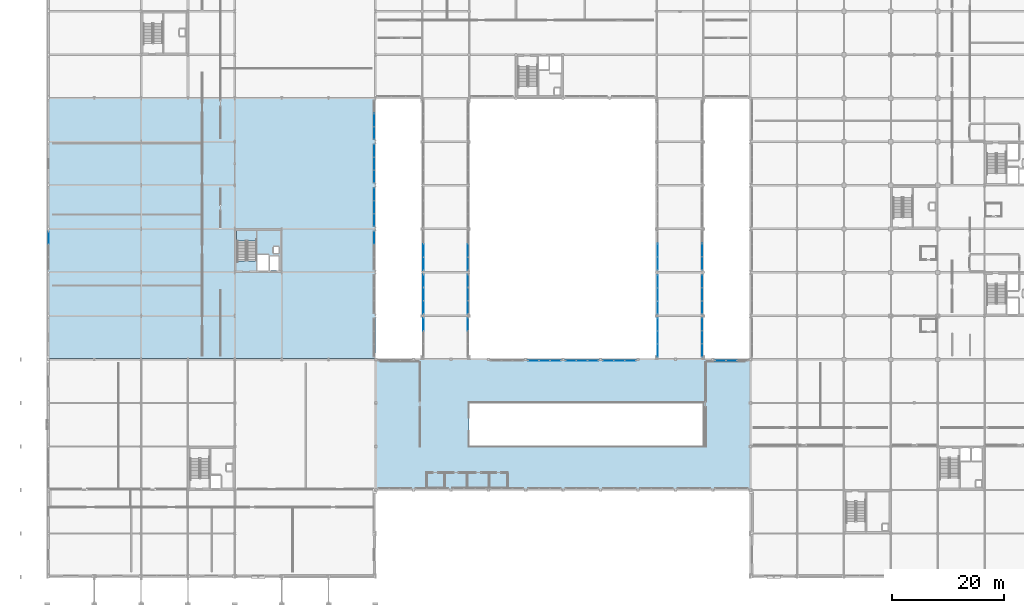
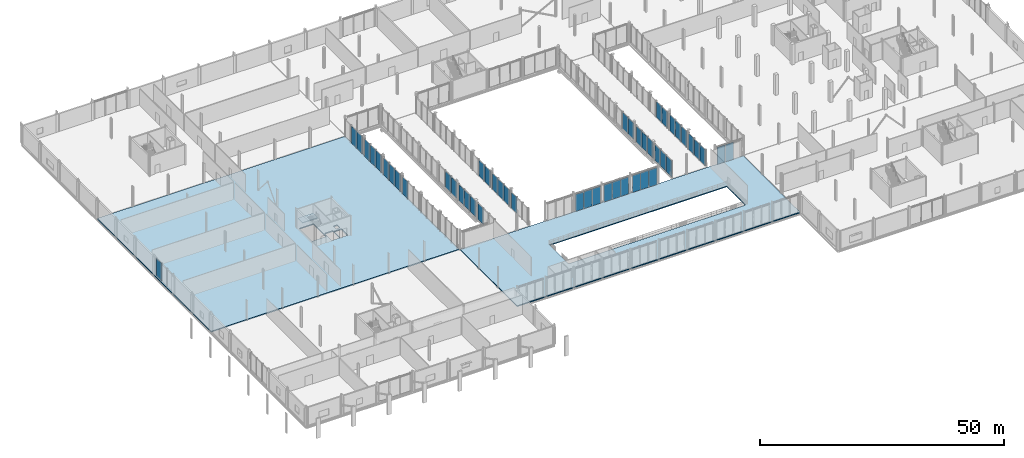
# One storey, part 69 of 105: 49 plates, 3 slabs, 22 elements without a shape of their own.
"""IFC4 building model written with IfcOpenShell, lengths in metres."""

from ifc_helpers import new_model, si_unit, direction, frame, origin, origin_2d, place, context, subcontext, project, spatial, polyline, rectangle, outline, extrude, material, layer, layer_set, type_object, element, aggregate, save


model = new_model("IFC4")

# Units and contexts
model_context = context("Model", 3, precision=1e-05, world=origin(), true_north=direction((0.0, 1.0)))
body_context = subcontext(model_context, "Body", "Model", "MODEL_VIEW")
ifc_project = project(units=[si_unit("LENGTHUNIT", "METRE"), si_unit("AREAUNIT", "SQUARE_METRE"), si_unit("VOLUMEUNIT", "CUBIC_METRE"), si_unit("PLANEANGLEUNIT", "RADIAN"), si_unit("MASSUNIT", "GRAM", prefix="KILO")], contexts=[model_context])

# Site, building, storey
site_placement = place(None, origin())
site = spatial("IfcSite", under=ifc_project, at=site_placement, CompositionType="ELEMENT")
building_placement = place(site_placement, origin())
building = spatial("IfcBuilding", under=site, at=building_placement, Name="Nabrawat Pavilion Hospital", CompositionType="ELEMENT")
storey_placement = place(building_placement, frame((0.0, 0.0, 5.10009765625)))
storey = spatial("IfcBuildingStorey", under=building, at=storey_placement, Name="L01", CompositionType="ELEMENT", Elevation=5.10009765625)

# Slab
ifc_material_1 = material(Name="Concrete C35/45", Category="concrete")
ifc_layer_1 = layer(ifc_material_1, 0.239990234375, Name="Concrete C35/45")
ifc_layer_set_1 = layer_set([ifc_layer_1], Name="Concrete C35/45")
slab_type_1 = type_object("IfcSlabType", Name="Composite Gallery Floor Slab 240", PredefinedType="FLOOR", material=ifc_layer_set_1)
slab_1_placement = place(storey_placement, frame((0.0, 0.0, -0.239990234375)))
element("IfcSlab", 1, at=slab_1_placement, inside=storey, type_object=slab_type_1, Name="L01 Structural Floor Slab P_L01_V1", PredefinedType="FLOOR", context=body_context, shape_type="SweptSolid", body=[
    extrude(outline(polyline([(58.919921875, 15.60009765625), (126.0, 15.60009765625), (126.0, 39.0), (58.919921875, 39.0), (58.919921875, 15.60009765625)]), holes=[polyline([(75.60009765625, 23.39990234375), (75.60009765625, 31.199951171875), (117.60009765625, 31.199951171875), (117.60009765625, 23.39990234375), (75.60009765625, 23.39990234375)])]), origin(), (0.0, 0.0, 1.0), 0.239990234375),
])

# Curtain wall, plate
ifc_material_2 = material(Name="Anodised Aluminium", Category="aluminium")
curtain_wall_type_1 = type_object("IfcCurtainWallType", Name="Courtyard Link Bridge Glazed Curtain Wall", PredefinedType="USERDEFINED", material=ifc_material_2)
curtain_wall_1_placement = place(storey_placement, origin())
curtain_wall_1 = element("IfcCurtainWall", 2, at=curtain_wall_1_placement, inside=storey, type_object=curtain_wall_type_1, Name="L01 Courtyard Link Bridge Glazed Curtain Wall 052", ObjectType="CURTAIN WALL", PredefinedType="USERDEFINED")
ifc_material_3 = material(Name="Double-Glazed Low-E Glass", Category="glass")
ifc_layer_2 = layer(ifc_material_3, 0.031982421875, Name="Double-Glazed Low-E Glass")
ifc_layer_set_2 = layer_set([ifc_layer_2], Name="Double-Glazed Low-E Glass")
plate_type_1 = type_object("IfcPlateType", Name="Courtyard Link Bridge Glazed Curtain Wall Low-E Solar Panel 32", PredefinedType="CURTAIN_PANEL", material=ifc_layer_set_2)
plate_1_placement = place(storey_placement, frame((67.419921875, 45.291015625, 0.06982421875), z_axis=(0.0, 0.0, 1.0), x_axis=(0.0, 1.0, 0.0)))
plate_1 = element("IfcPlate", 3, at=plate_1_placement, type_object=plate_type_1, Name="CW-BRG-01 panel 3.1", PredefinedType="CURTAIN_PANEL", context=body_context, shape_type="SweptSolid", body=[
    extrude(rectangle(XDim=2.242431640625, YDim=0.031982421875, at=origin_2d()), origin(), (0.0, 0.0, 1.0), 4.0),
])
aggregate(curtain_wall_1, [plate_1])

# Curtain wall, plates
curtain_wall_2_placement = place(storey_placement, origin())
curtain_wall_2 = element("IfcCurtainWall", 4, at=curtain_wall_2_placement, inside=storey, type_object=curtain_wall_type_1, Name="L01 Courtyard Link Bridge Glazed Curtain Wall 053", ObjectType="CURTAIN WALL", PredefinedType="USERDEFINED")
plate_2_placement = place(storey_placement, frame((67.419921875, 48.32568359375, 0.06982421875), z_axis=(0.0, 0.0, 1.0), x_axis=(0.0, 1.0, 0.0)))
plate_2 = element("IfcPlate", 5, at=plate_2_placement, type_object=plate_type_1, Name="CW-BRG-01 panel 1.1", PredefinedType="CURTAIN_PANEL", context=body_context, shape_type="SweptSolid", body=[
    extrude(rectangle(XDim=2.275634765625, YDim=0.031982421875, at=origin_2d()), origin(), (0.0, 0.0, 1.0), 4.0),
])
plate_3_placement = place(storey_placement, frame((67.419921875, 50.68896484375, 0.06982421875), z_axis=(0.0, 0.0, 1.0), x_axis=(0.0, 1.0, 0.0)))
plate_3 = element("IfcPlate", 6, at=plate_3_placement, type_object=plate_type_1, Name="CW-BRG-01 panel 2.1", PredefinedType="CURTAIN_PANEL", context=body_context, shape_type="SweptSolid", body=[
    extrude(rectangle(XDim=2.310791015625, YDim=0.031982421875, at=origin_2d()), origin(), (0.0, 0.0, 1.0), 4.0),
])
plate_4_placement = place(storey_placement, frame((67.419921875, 53.05224609375, 0.06982421875), z_axis=(0.0, 0.0, 1.0), x_axis=(0.0, 1.0, 0.0)))
plate_4 = element("IfcPlate", 7, at=plate_4_placement, type_object=plate_type_1, Name="CW-BRG-01 panel 3.1", PredefinedType="CURTAIN_PANEL", context=body_context, shape_type="SweptSolid", body=[
    extrude(rectangle(XDim=2.275634765625, YDim=0.031982421875, at=origin_2d()), origin(), (0.0, 0.0, 1.0), 4.0),
])
aggregate(curtain_wall_2, [plate_2, plate_3, plate_4])

curtain_wall_3_placement = place(storey_placement, origin())
curtain_wall_3 = element("IfcCurtainWall", 8, at=curtain_wall_3_placement, inside=storey, type_object=curtain_wall_type_1, Name="L01 Courtyard Link Bridge Glazed Curtain Wall 054", ObjectType="CURTAIN WALL", PredefinedType="USERDEFINED")
plate_5_placement = place(storey_placement, frame((67.419921875, 56.14794921875, 0.06982421875), z_axis=(0.0, 0.0, 1.0), x_axis=(0.0, 1.0, 0.0)))
plate_5 = element("IfcPlate", 9, at=plate_5_placement, type_object=plate_type_1, Name="CW-BRG-01 panel 1.1", PredefinedType="CURTAIN_PANEL", context=body_context, shape_type="SweptSolid", body=[
    extrude(rectangle(XDim=2.275634765625, YDim=0.031982421875, at=origin_2d()), origin(), (0.0, 0.0, 1.0), 4.0),
])
plate_6_placement = place(storey_placement, frame((67.419921875, 58.510986328125, 0.06982421875), z_axis=(0.0, 0.0, 1.0), x_axis=(0.0, 1.0, 0.0)))
plate_6 = element("IfcPlate", 10, at=plate_6_placement, type_object=plate_type_1, Name="CW-BRG-01 panel 2.1", PredefinedType="CURTAIN_PANEL", context=body_context, shape_type="SweptSolid", body=[
    extrude(rectangle(XDim=2.310791015625, YDim=0.031982421875, at=origin_2d()), origin(), (0.0, 0.0, 1.0), 4.0),
])
aggregate(curtain_wall_3, [plate_5, plate_6])

# Curtain wall, plate
curtain_wall_4_placement = place(storey_placement, origin())
curtain_wall_4 = element("IfcCurtainWall", 11, at=curtain_wall_4_placement, inside=storey, type_object=curtain_wall_type_1, Name="L01 Courtyard Link Bridge Glazed Curtain Wall 058", ObjectType="CURTAIN WALL", PredefinedType="USERDEFINED")
plate_7_placement = place(storey_placement, frame((75.3798828125, 45.291015625, 0.06982421875), z_axis=(0.0, 0.0, 1.0), x_axis=(0.0, 1.0, 0.0)))
plate_7 = element("IfcPlate", 12, at=plate_7_placement, type_object=plate_type_1, Name="CW-BRG-01 panel 3.1", PredefinedType="CURTAIN_PANEL", context=body_context, shape_type="SweptSolid", body=[
    extrude(rectangle(XDim=2.242431640625, YDim=0.031982421875, at=origin_2d()), origin(), (0.0, 0.0, 1.0), 4.0),
])
aggregate(curtain_wall_4, [plate_7])

# Curtain wall, plates
curtain_wall_5_placement = place(storey_placement, origin())
curtain_wall_5 = element("IfcCurtainWall", 13, at=curtain_wall_5_placement, inside=storey, type_object=curtain_wall_type_1, Name="L01 Courtyard Link Bridge Glazed Curtain Wall 059", ObjectType="CURTAIN WALL", PredefinedType="USERDEFINED")
plate_8_placement = place(storey_placement, frame((75.3798828125, 48.32568359375, 0.06982421875), z_axis=(0.0, 0.0, 1.0), x_axis=(0.0, 1.0, 0.0)))
plate_8 = element("IfcPlate", 14, at=plate_8_placement, type_object=plate_type_1, Name="CW-BRG-01 panel 1.1", PredefinedType="CURTAIN_PANEL", context=body_context, shape_type="SweptSolid", body=[
    extrude(rectangle(XDim=2.275634765625, YDim=0.031982421875, at=origin_2d()), origin(), (0.0, 0.0, 1.0), 4.0),
])
plate_9_placement = place(storey_placement, frame((75.3798828125, 50.68896484375, 0.06982421875), z_axis=(0.0, 0.0, 1.0), x_axis=(0.0, 1.0, 0.0)))
plate_9 = element("IfcPlate", 15, at=plate_9_placement, type_object=plate_type_1, Name="CW-BRG-01 panel 2.1", PredefinedType="CURTAIN_PANEL", context=body_context, shape_type="SweptSolid", body=[
    extrude(rectangle(XDim=2.310791015625, YDim=0.031982421875, at=origin_2d()), origin(), (0.0, 0.0, 1.0), 4.0),
])
plate_10_placement = place(storey_placement, frame((75.3798828125, 53.05224609375, 0.06982421875), z_axis=(0.0, 0.0, 1.0), x_axis=(0.0, 1.0, 0.0)))
plate_10 = element("IfcPlate", 16, at=plate_10_placement, type_object=plate_type_1, Name="CW-BRG-01 panel 3.1", PredefinedType="CURTAIN_PANEL", context=body_context, shape_type="SweptSolid", body=[
    extrude(rectangle(XDim=2.275634765625, YDim=0.031982421875, at=origin_2d()), origin(), (0.0, 0.0, 1.0), 4.0),
])
aggregate(curtain_wall_5, [plate_8, plate_9, plate_10])

curtain_wall_6_placement = place(storey_placement, origin())
curtain_wall_6 = element("IfcCurtainWall", 17, at=curtain_wall_6_placement, inside=storey, type_object=curtain_wall_type_1, Name="L01 Courtyard Link Bridge Glazed Curtain Wall 060", ObjectType="CURTAIN WALL", PredefinedType="USERDEFINED")
plate_11_placement = place(storey_placement, frame((75.3798828125, 56.14794921875, 0.06982421875), z_axis=(0.0, 0.0, 1.0), x_axis=(0.0, 1.0, 0.0)))
plate_11 = element("IfcPlate", 18, at=plate_11_placement, type_object=plate_type_1, Name="CW-BRG-01 panel 1.1", PredefinedType="CURTAIN_PANEL", context=body_context, shape_type="SweptSolid", body=[
    extrude(rectangle(XDim=2.275634765625, YDim=0.031982421875, at=origin_2d()), origin(), (0.0, 0.0, 1.0), 4.0),
])
plate_12_placement = place(storey_placement, frame((75.3798828125, 58.510986328125, 0.06982421875), z_axis=(0.0, 0.0, 1.0), x_axis=(0.0, 1.0, 0.0)))
plate_12 = element("IfcPlate", 19, at=plate_12_placement, type_object=plate_type_1, Name="CW-BRG-01 panel 2.1", PredefinedType="CURTAIN_PANEL", context=body_context, shape_type="SweptSolid", body=[
    extrude(rectangle(XDim=2.310791015625, YDim=0.031982421875, at=origin_2d()), origin(), (0.0, 0.0, 1.0), 4.0),
])
aggregate(curtain_wall_6, [plate_11, plate_12])

curtain_wall_7_placement = place(storey_placement, origin())
curtain_wall_7 = element("IfcCurtainWall", 20, at=curtain_wall_7_placement, inside=storey, type_object=curtain_wall_type_1, Name="L01 Courtyard Link Bridge Glazed Curtain Wall 071", ObjectType="CURTAIN WALL", PredefinedType="USERDEFINED")
plate_13_placement = place(storey_placement, frame((109.419921875, 40.631103515625, 0.06982421875), z_axis=(0.0, 0.0, 1.0), x_axis=(0.0, 1.0, 0.0)))
plate_13 = element("IfcPlate", 21, at=plate_13_placement, type_object=plate_type_1, Name="CW-BRG-01 panel 1.1", PredefinedType="CURTAIN_PANEL", context=body_context, shape_type="SweptSolid", body=[
    extrude(rectangle(XDim=2.242431640625, YDim=0.031982421875, at=origin_2d()), origin(), (0.0, 0.0, 1.0), 4.0),
])
plate_14_placement = place(storey_placement, frame((109.419921875, 42.961181640625, 0.06982421875), z_axis=(0.0, 0.0, 1.0), x_axis=(0.0, 1.0, 0.0)))
plate_14 = element("IfcPlate", 22, at=plate_14_placement, type_object=plate_type_1, Name="CW-BRG-01 panel 2.1", PredefinedType="CURTAIN_PANEL", context=body_context, shape_type="SweptSolid", body=[
    extrude(rectangle(XDim=2.27734375, YDim=0.031982421875, at=origin_2d()), origin(), (0.0, 0.0, 1.0), 4.0),
])
plate_15_placement = place(storey_placement, frame((109.419921875, 45.291015625, 0.06982421875), z_axis=(0.0, 0.0, 1.0), x_axis=(0.0, 1.0, 0.0)))
plate_15 = element("IfcPlate", 23, at=plate_15_placement, type_object=plate_type_1, Name="CW-BRG-01 panel 3.1", PredefinedType="CURTAIN_PANEL", context=body_context, shape_type="SweptSolid", body=[
    extrude(rectangle(XDim=2.242431640625, YDim=0.031982421875, at=origin_2d()), origin(), (0.0, 0.0, 1.0), 4.0),
])
aggregate(curtain_wall_7, [plate_13, plate_14, plate_15])

curtain_wall_8_placement = place(storey_placement, origin())
curtain_wall_8 = element("IfcCurtainWall", 24, at=curtain_wall_8_placement, inside=storey, type_object=curtain_wall_type_1, Name="L01 Courtyard Link Bridge Glazed Curtain Wall 072", ObjectType="CURTAIN WALL", PredefinedType="USERDEFINED")
plate_16_placement = place(storey_placement, frame((109.419921875, 48.313232421875, 0.06982421875), z_axis=(0.0, 0.0, 1.0), x_axis=(0.0, 1.0, 0.0)))
plate_16 = element("IfcPlate", 25, at=plate_16_placement, type_object=plate_type_1, Name="CW-BRG-01 panel 1.1", PredefinedType="CURTAIN_PANEL", context=body_context, shape_type="SweptSolid", body=[
    extrude(rectangle(XDim=2.250732421875, YDim=0.031982421875, at=origin_2d()), origin(), (0.0, 0.0, 1.0), 4.0),
])
plate_17_placement = place(storey_placement, frame((109.419921875, 50.6513671875, 0.06982421875), z_axis=(0.0, 0.0, 1.0), x_axis=(0.0, 1.0, 0.0)))
plate_17 = element("IfcPlate", 26, at=plate_17_placement, type_object=plate_type_1, Name="CW-BRG-01 panel 2.1", PredefinedType="CURTAIN_PANEL", context=body_context, shape_type="SweptSolid", body=[
    extrude(rectangle(XDim=2.28564453125, YDim=0.031982421875, at=origin_2d()), origin(), (0.0, 0.0, 1.0), 4.0),
])
plate_18_placement = place(storey_placement, frame((109.419921875, 52.98974609375, 0.06982421875), z_axis=(0.0, 0.0, 1.0), x_axis=(0.0, 1.0, 0.0)))
plate_18 = element("IfcPlate", 27, at=plate_18_placement, type_object=plate_type_1, Name="CW-BRG-01 panel 3.1", PredefinedType="CURTAIN_PANEL", context=body_context, shape_type="SweptSolid", body=[
    extrude(rectangle(XDim=2.250732421875, YDim=0.031982421875, at=origin_2d()), origin(), (0.0, 0.0, 1.0), 4.0),
])
aggregate(curtain_wall_8, [plate_16, plate_17, plate_18])

curtain_wall_9_placement = place(storey_placement, origin())
curtain_wall_9 = element("IfcCurtainWall", 28, at=curtain_wall_9_placement, inside=storey, type_object=curtain_wall_type_1, Name="L01 Courtyard Link Bridge Glazed Curtain Wall 073", ObjectType="CURTAIN WALL", PredefinedType="USERDEFINED")
plate_19_placement = place(storey_placement, frame((109.419921875, 56.21044921875, 0.06982421875), z_axis=(0.0, 0.0, 1.0), x_axis=(0.0, 1.0, 0.0)))
plate_19 = element("IfcPlate", 29, at=plate_19_placement, type_object=plate_type_1, Name="CW-BRG-01 panel 1.1", PredefinedType="CURTAIN_PANEL", context=body_context, shape_type="SweptSolid", body=[
    extrude(rectangle(XDim=2.250732421875, YDim=0.031982421875, at=origin_2d()), origin(), (0.0, 0.0, 1.0), 4.0),
])
plate_20_placement = place(storey_placement, frame((109.419921875, 58.548583984375, 0.06982421875), z_axis=(0.0, 0.0, 1.0), x_axis=(0.0, 1.0, 0.0)))
plate_20 = element("IfcPlate", 30, at=plate_20_placement, type_object=plate_type_1, Name="CW-BRG-01 panel 2.1", PredefinedType="CURTAIN_PANEL", context=body_context, shape_type="SweptSolid", body=[
    extrude(rectangle(XDim=2.28564453125, YDim=0.031982421875, at=origin_2d()), origin(), (0.0, 0.0, 1.0), 4.0),
])
aggregate(curtain_wall_9, [plate_19, plate_20])

curtain_wall_10_placement = place(storey_placement, origin())
curtain_wall_10 = element("IfcCurtainWall", 31, at=curtain_wall_10_placement, inside=storey, type_object=curtain_wall_type_1, Name="L01 Courtyard Link Bridge Glazed Curtain Wall 077", ObjectType="CURTAIN WALL", PredefinedType="USERDEFINED")
plate_21_placement = place(storey_placement, frame((117.3798828125, 40.631103515625, 0.06982421875), z_axis=(0.0, 0.0, 1.0), x_axis=(0.0, 1.0, 0.0)))
plate_21 = element("IfcPlate", 32, at=plate_21_placement, type_object=plate_type_1, Name="CW-BRG-01 panel 1.1", PredefinedType="CURTAIN_PANEL", context=body_context, shape_type="SweptSolid", body=[
    extrude(rectangle(XDim=2.242431640625, YDim=0.031982421875, at=origin_2d()), origin(), (0.0, 0.0, 1.0), 4.0),
])
plate_22_placement = place(storey_placement, frame((117.3798828125, 42.961181640625, 0.06982421875), z_axis=(0.0, 0.0, 1.0), x_axis=(0.0, 1.0, 0.0)))
plate_22 = element("IfcPlate", 33, at=plate_22_placement, type_object=plate_type_1, Name="CW-BRG-01 panel 2.1", PredefinedType="CURTAIN_PANEL", context=body_context, shape_type="SweptSolid", body=[
    extrude(rectangle(XDim=2.27734375, YDim=0.031982421875, at=origin_2d()), origin(), (0.0, 0.0, 1.0), 4.0),
])
plate_23_placement = place(storey_placement, frame((117.3798828125, 45.291015625, 0.06982421875), z_axis=(0.0, 0.0, 1.0), x_axis=(0.0, 1.0, 0.0)))
plate_23 = element("IfcPlate", 34, at=plate_23_placement, type_object=plate_type_1, Name="CW-BRG-01 panel 3.1", PredefinedType="CURTAIN_PANEL", context=body_context, shape_type="SweptSolid", body=[
    extrude(rectangle(XDim=2.242431640625, YDim=0.031982421875, at=origin_2d()), origin(), (0.0, 0.0, 1.0), 4.0),
])
aggregate(curtain_wall_10, [plate_21, plate_22, plate_23])

curtain_wall_11_placement = place(storey_placement, origin())
curtain_wall_11 = element("IfcCurtainWall", 35, at=curtain_wall_11_placement, inside=storey, type_object=curtain_wall_type_1, Name="L01 Courtyard Link Bridge Glazed Curtain Wall 078", ObjectType="CURTAIN WALL", PredefinedType="USERDEFINED")
plate_24_placement = place(storey_placement, frame((117.3798828125, 48.313232421875, 0.06982421875), z_axis=(0.0, 0.0, 1.0), x_axis=(0.0, 1.0, 0.0)))
plate_24 = element("IfcPlate", 36, at=plate_24_placement, type_object=plate_type_1, Name="CW-BRG-01 panel 1.1", PredefinedType="CURTAIN_PANEL", context=body_context, shape_type="SweptSolid", body=[
    extrude(rectangle(XDim=2.250732421875, YDim=0.031982421875, at=origin_2d()), origin(), (0.0, 0.0, 1.0), 4.0),
])
plate_25_placement = place(storey_placement, frame((117.3798828125, 50.6513671875, 0.06982421875), z_axis=(0.0, 0.0, 1.0), x_axis=(0.0, 1.0, 0.0)))
plate_25 = element("IfcPlate", 37, at=plate_25_placement, type_object=plate_type_1, Name="CW-BRG-01 panel 2.1", PredefinedType="CURTAIN_PANEL", context=body_context, shape_type="SweptSolid", body=[
    extrude(rectangle(XDim=2.28564453125, YDim=0.031982421875, at=origin_2d()), origin(), (0.0, 0.0, 1.0), 4.0),
])
plate_26_placement = place(storey_placement, frame((117.3798828125, 52.98974609375, 0.06982421875), z_axis=(0.0, 0.0, 1.0), x_axis=(0.0, 1.0, 0.0)))
plate_26 = element("IfcPlate", 38, at=plate_26_placement, type_object=plate_type_1, Name="CW-BRG-01 panel 3.1", PredefinedType="CURTAIN_PANEL", context=body_context, shape_type="SweptSolid", body=[
    extrude(rectangle(XDim=2.250732421875, YDim=0.031982421875, at=origin_2d()), origin(), (0.0, 0.0, 1.0), 4.0),
])
aggregate(curtain_wall_11, [plate_24, plate_25, plate_26])

curtain_wall_12_placement = place(storey_placement, origin())
curtain_wall_12 = element("IfcCurtainWall", 39, at=curtain_wall_12_placement, inside=storey, type_object=curtain_wall_type_1, Name="L01 Courtyard Link Bridge Glazed Curtain Wall 079", ObjectType="CURTAIN WALL", PredefinedType="USERDEFINED")
plate_27_placement = place(storey_placement, frame((117.3798828125, 56.21044921875, 0.06982421875), z_axis=(0.0, 0.0, 1.0), x_axis=(0.0, 1.0, 0.0)))
plate_27 = element("IfcPlate", 40, at=plate_27_placement, type_object=plate_type_1, Name="CW-BRG-01 panel 1.1", PredefinedType="CURTAIN_PANEL", context=body_context, shape_type="SweptSolid", body=[
    extrude(rectangle(XDim=2.250732421875, YDim=0.031982421875, at=origin_2d()), origin(), (0.0, 0.0, 1.0), 4.0),
])
plate_28_placement = place(storey_placement, frame((117.3798828125, 58.548583984375, 0.06982421875), z_axis=(0.0, 0.0, 1.0), x_axis=(0.0, 1.0, 0.0)))
plate_28 = element("IfcPlate", 41, at=plate_28_placement, type_object=plate_type_1, Name="CW-BRG-01 panel 2.1", PredefinedType="CURTAIN_PANEL", context=body_context, shape_type="SweptSolid", body=[
    extrude(rectangle(XDim=2.28564453125, YDim=0.031982421875, at=origin_2d()), origin(), (0.0, 0.0, 1.0), 4.0),
])
aggregate(curtain_wall_12, [plate_27, plate_28])

# Curtain wall, plate
curtain_wall_type_2 = type_object("IfcCurtainWallType", Name="Emergency Concourse Glazed Screen", PredefinedType="USERDEFINED", material=ifc_material_2)
curtain_wall_13_placement = place(storey_placement, origin())
curtain_wall_13 = element("IfcCurtainWall", 42, at=curtain_wall_13_placement, inside=storey, type_object=curtain_wall_type_2, Name="L01 Emergency Concourse Glazed Screen 031", ObjectType="CURTAIN WALL", PredefinedType="USERDEFINED")
ifc_layer_3 = layer(ifc_material_3, 0.030029296875, Name="Double-Glazed Low-E Glass")
ifc_layer_set_3 = layer_set([ifc_layer_3], Name="Double-Glazed Low-E Glass")
plate_type_2 = type_object("IfcPlateType", Name="Emergency Concourse Glazed Screen Low-E Solar Panel 30", PredefinedType="CURTAIN_PANEL", material=ifc_layer_set_3)
plate_29_placement = place(storey_placement, frame((0.219970703125, 60.785888671875, 0.06982421875), z_axis=(0.0, 0.0, 1.0), x_axis=(0.0, 1.0, 0.0)))
plate_29 = element("IfcPlate", 43, at=plate_29_placement, type_object=plate_type_2, Name="CW-ED-01 panel 3.1", PredefinedType="CURTAIN_PANEL", context=body_context, shape_type="SweptSolid", body=[
    extrude(rectangle(XDim=2.1982421875, YDim=0.030029296875, at=origin_2d()), origin(), (0.0, 0.0, 1.0), 4.320068359375),
])
aggregate(curtain_wall_13, [plate_29])

curtain_wall_type_3 = type_object("IfcCurtainWallType", Name="Healing Garden Cloister Curtain Wall", PredefinedType="USERDEFINED", material=ifc_material_2)
curtain_wall_14_placement = place(storey_placement, origin())
curtain_wall_14 = element("IfcCurtainWall", 44, at=curtain_wall_14_placement, inside=storey, type_object=curtain_wall_type_3, Name="L01 Healing Garden Cloister Curtain Wall 045", ObjectType="CURTAIN WALL", PredefinedType="USERDEFINED")
ifc_layer_4 = layer(ifc_material_3, 0.028076171875, Name="Double-Glazed Low-E Glass")
ifc_layer_set_4 = layer_set([ifc_layer_4], Name="Double-Glazed Low-E Glass")
plate_type_3 = type_object("IfcPlateType", Name="Healing Garden Cloister Curtain Wall Low-E Solar Panel 28", PredefinedType="CURTAIN_PANEL", material=ifc_layer_set_4)
plate_30_placement = place(storey_placement, frame((58.580078125, 60.80712890625, 0.06494140625), z_axis=(0.0, 0.0, 1.0), x_axis=(0.0, 1.0, 0.0)))
plate_30 = element("IfcPlate", 45, at=plate_30_placement, type_object=plate_type_3, Name="CW-CLN-01 panel 3.1", PredefinedType="CURTAIN_PANEL", context=body_context, shape_type="SweptSolid", body=[
    extrude(rectangle(XDim=2.225830078125, YDim=0.028076171875, at=origin_2d()), origin(), (0.0, 0.0, 1.0), 4.2900390625),
])
aggregate(curtain_wall_14, [plate_30])

# Curtain wall, plates
curtain_wall_15_placement = place(storey_placement, origin())
curtain_wall_15 = element("IfcCurtainWall", 46, at=curtain_wall_15_placement, inside=storey, type_object=curtain_wall_type_3, Name="L01 Healing Garden Cloister Curtain Wall 046", ObjectType="CURTAIN WALL", PredefinedType="USERDEFINED")
plate_31_placement = place(storey_placement, frame((58.580078125, 63.992919921875, 0.06494140625), z_axis=(0.0, 0.0, 1.0), x_axis=(0.0, 1.0, 0.0)))
plate_31 = element("IfcPlate", 47, at=plate_31_placement, type_object=plate_type_3, Name="CW-CLN-01 panel 1.1", PredefinedType="CURTAIN_PANEL", context=body_context, shape_type="SweptSolid", body=[
    extrude(rectangle(XDim=2.225830078125, YDim=0.028076171875, at=origin_2d()), origin(), (0.0, 0.0, 1.0), 4.2900390625),
])
plate_32_placement = place(storey_placement, frame((58.580078125, 66.300048828125, 0.06494140625), z_axis=(0.0, 0.0, 1.0), x_axis=(0.0, 1.0, 0.0)))
plate_32 = element("IfcPlate", 48, at=plate_32_placement, type_object=plate_type_3, Name="CW-CLN-01 panel 2.1", PredefinedType="CURTAIN_PANEL", context=body_context, shape_type="SweptSolid", body=[
    extrude(rectangle(XDim=2.25830078125, YDim=0.028076171875, at=origin_2d()), origin(), (0.0, 0.0, 1.0), 4.2900390625),
])
plate_33_placement = place(storey_placement, frame((58.580078125, 68.607177734375, 0.06494140625), z_axis=(0.0, 0.0, 1.0), x_axis=(0.0, 1.0, 0.0)))
plate_33 = element("IfcPlate", 49, at=plate_33_placement, type_object=plate_type_3, Name="CW-CLN-01 panel 3.1", PredefinedType="CURTAIN_PANEL", context=body_context, shape_type="SweptSolid", body=[
    extrude(rectangle(XDim=2.225830078125, YDim=0.028076171875, at=origin_2d()), origin(), (0.0, 0.0, 1.0), 4.2900390625),
])
aggregate(curtain_wall_15, [plate_31, plate_32, plate_33])

curtain_wall_16_placement = place(storey_placement, origin())
curtain_wall_16 = element("IfcCurtainWall", 50, at=curtain_wall_16_placement, inside=storey, type_object=curtain_wall_type_3, Name="L01 Healing Garden Cloister Curtain Wall 047", ObjectType="CURTAIN WALL", PredefinedType="USERDEFINED")
plate_34_placement = place(storey_placement, frame((58.580078125, 71.79296875, 0.06494140625), z_axis=(0.0, 0.0, 1.0), x_axis=(0.0, 1.0, 0.0)))
plate_34 = element("IfcPlate", 51, at=plate_34_placement, type_object=plate_type_3, Name="CW-CLN-01 panel 1.1", PredefinedType="CURTAIN_PANEL", context=body_context, shape_type="SweptSolid", body=[
    extrude(rectangle(XDim=2.225830078125, YDim=0.028076171875, at=origin_2d()), origin(), (0.0, 0.0, 1.0), 4.2900390625),
])
plate_35_placement = place(storey_placement, frame((58.580078125, 74.10009765625, 0.06494140625), z_axis=(0.0, 0.0, 1.0), x_axis=(0.0, 1.0, 0.0)))
plate_35 = element("IfcPlate", 52, at=plate_35_placement, type_object=plate_type_3, Name="CW-CLN-01 panel 2.1", PredefinedType="CURTAIN_PANEL", context=body_context, shape_type="SweptSolid", body=[
    extrude(rectangle(XDim=2.25830078125, YDim=0.028076171875, at=origin_2d()), origin(), (0.0, 0.0, 1.0), 4.2900390625),
])
plate_36_placement = place(storey_placement, frame((58.580078125, 76.406982421875, 0.06494140625), z_axis=(0.0, 0.0, 1.0), x_axis=(0.0, 1.0, 0.0)))
plate_36 = element("IfcPlate", 53, at=plate_36_placement, type_object=plate_type_3, Name="CW-CLN-01 panel 3.1", PredefinedType="CURTAIN_PANEL", context=body_context, shape_type="SweptSolid", body=[
    extrude(rectangle(XDim=2.225830078125, YDim=0.028076171875, at=origin_2d()), origin(), (0.0, 0.0, 1.0), 4.2900390625),
])
aggregate(curtain_wall_16, [plate_34, plate_35, plate_36])

curtain_wall_17_placement = place(storey_placement, origin())
curtain_wall_17 = element("IfcCurtainWall", 54, at=curtain_wall_17_placement, inside=storey, type_object=curtain_wall_type_3, Name="L01 Healing Garden Cloister Curtain Wall 048", ObjectType="CURTAIN WALL", PredefinedType="USERDEFINED")
plate_37_placement = place(storey_placement, frame((58.580078125, 79.593017578125, 0.06494140625), z_axis=(0.0, 0.0, 1.0), x_axis=(0.0, 1.0, 0.0)))
plate_37 = element("IfcPlate", 55, at=plate_37_placement, type_object=plate_type_3, Name="CW-CLN-01 panel 1.1", PredefinedType="CURTAIN_PANEL", context=body_context, shape_type="SweptSolid", body=[
    extrude(rectangle(XDim=2.225830078125, YDim=0.028076171875, at=origin_2d()), origin(), (0.0, 0.0, 1.0), 4.2900390625),
])
plate_38_placement = place(storey_placement, frame((58.580078125, 81.89990234375, 0.06494140625), z_axis=(0.0, 0.0, 1.0), x_axis=(0.0, 1.0, 0.0)))
plate_38 = element("IfcPlate", 56, at=plate_38_placement, type_object=plate_type_3, Name="CW-CLN-01 panel 2.1", PredefinedType="CURTAIN_PANEL", context=body_context, shape_type="SweptSolid", body=[
    extrude(rectangle(XDim=2.25830078125, YDim=0.028076171875, at=origin_2d()), origin(), (0.0, 0.0, 1.0), 4.2900390625),
])
aggregate(curtain_wall_17, [plate_37, plate_38])

curtain_wall_type_4 = type_object("IfcCurtainWallType", Name="Main Hall Pavilion Unitised Curtain Wall", PredefinedType="USERDEFINED", material=ifc_material_2)
curtain_wall_18_placement = place(storey_placement, origin())
curtain_wall_18 = element("IfcCurtainWall", 57, at=curtain_wall_18_placement, inside=storey, type_object=curtain_wall_type_4, Name="L01 Main Hall Pavilion Unitised Curtain Wall 065", ObjectType="CURTAIN WALL", PredefinedType="USERDEFINED")
ifc_layer_5 = layer(ifc_material_3, 0.035888671875, Name="Double-Glazed Low-E Glass")
ifc_layer_set_5 = layer_set([ifc_layer_5], Name="Double-Glazed Low-E Glass")
plate_type_4 = type_object("IfcPlateType", Name="Main Hall Pavilion Unitised Curtain Wall Low-E Solar Panel 36", PredefinedType="CURTAIN_PANEL", material=ifc_layer_set_5)
plate_39_placement = place(storey_placement, frame((87.134521484375, 38.780029296875, 0.07470703125), z_axis=(0.0, 0.0, 1.0), x_axis=(1.0, 0.0, 0.0)))
plate_39 = element("IfcPlate", 58, at=plate_39_placement, type_object=plate_type_4, Name="CW-MH-01 panel 1.1", PredefinedType="CURTAIN_PANEL", context=body_context, shape_type="SweptSolid", body=[
    extrude(rectangle(XDim=1.8779296875, YDim=0.035888671875, at=origin_2d()), origin(), (0.0, 0.0, 1.0), 4.300048828125),
])
plate_40_placement = place(storey_placement, frame((89.10595703125, 38.780029296875, 0.07470703125), z_axis=(0.0, 0.0, 1.0), x_axis=(1.0, 0.0, 0.0)))
plate_40 = element("IfcPlate", 59, at=plate_40_placement, type_object=plate_type_4, Name="CW-MH-01 panel 2.1", PredefinedType="CURTAIN_PANEL", context=body_context, shape_type="SweptSolid", body=[
    extrude(rectangle(XDim=1.915283203125, YDim=0.035888671875, at=origin_2d()), origin(), (0.0, 0.0, 1.0), 4.300048828125),
])
plate_41_placement = place(storey_placement, frame((91.07763671875, 38.780029296875, 0.07470703125), z_axis=(0.0, 0.0, 1.0), x_axis=(1.0, 0.0, 0.0)))
plate_41 = element("IfcPlate", 60, at=plate_41_placement, type_object=plate_type_4, Name="CW-MH-01 panel 3.1", PredefinedType="CURTAIN_PANEL", context=body_context, shape_type="SweptSolid", body=[
    extrude(rectangle(XDim=1.8779296875, YDim=0.035888671875, at=origin_2d()), origin(), (0.0, 0.0, 1.0), 4.300048828125),
])
aggregate(curtain_wall_18, [plate_39, plate_40, plate_41])

curtain_wall_19_placement = place(storey_placement, origin())
curtain_wall_19 = element("IfcCurtainWall", 61, at=curtain_wall_19_placement, inside=storey, type_object=curtain_wall_type_4, Name="L01 Main Hall Pavilion Unitised Curtain Wall 066", ObjectType="CURTAIN WALL", PredefinedType="USERDEFINED")
plate_42_placement = place(storey_placement, frame((93.842529296875, 38.780029296875, 0.07470703125), z_axis=(0.0, 0.0, 1.0), x_axis=(1.0, 0.0, 0.0)))
plate_42 = element("IfcPlate", 62, at=plate_42_placement, type_object=plate_type_4, Name="CW-MH-01 panel 1.1", PredefinedType="CURTAIN_PANEL", context=body_context, shape_type="SweptSolid", body=[
    extrude(rectangle(XDim=1.8779296875, YDim=0.035888671875, at=origin_2d()), origin(), (0.0, 0.0, 1.0), 4.300048828125),
])
plate_43_placement = place(storey_placement, frame((95.81396484375, 38.780029296875, 0.07470703125), z_axis=(0.0, 0.0, 1.0), x_axis=(1.0, 0.0, 0.0)))
plate_43 = element("IfcPlate", 63, at=plate_43_placement, type_object=plate_type_4, Name="CW-MH-01 panel 2.1", PredefinedType="CURTAIN_PANEL", context=body_context, shape_type="SweptSolid", body=[
    extrude(rectangle(XDim=1.915283203125, YDim=0.035888671875, at=origin_2d()), origin(), (0.0, 0.0, 1.0), 4.300048828125),
])
plate_44_placement = place(storey_placement, frame((97.78564453125, 38.780029296875, 0.07470703125), z_axis=(0.0, 0.0, 1.0), x_axis=(1.0, 0.0, 0.0)))
plate_44 = element("IfcPlate", 64, at=plate_44_placement, type_object=plate_type_4, Name="CW-MH-01 panel 3.1", PredefinedType="CURTAIN_PANEL", context=body_context, shape_type="SweptSolid", body=[
    extrude(rectangle(XDim=1.8779296875, YDim=0.035888671875, at=origin_2d()), origin(), (0.0, 0.0, 1.0), 4.300048828125),
])
aggregate(curtain_wall_19, [plate_42, plate_43, plate_44])

curtain_wall_20_placement = place(storey_placement, origin())
curtain_wall_20 = element("IfcCurtainWall", 65, at=curtain_wall_20_placement, inside=storey, type_object=curtain_wall_type_4, Name="L01 Main Hall Pavilion Unitised Curtain Wall 067", ObjectType="CURTAIN WALL", PredefinedType="USERDEFINED")
plate_45_placement = place(storey_placement, frame((100.550537109375, 38.780029296875, 0.07470703125), z_axis=(0.0, 0.0, 1.0), x_axis=(1.0, 0.0, 0.0)))
plate_45 = element("IfcPlate", 66, at=plate_45_placement, type_object=plate_type_4, Name="CW-MH-01 panel 1.1", PredefinedType="CURTAIN_PANEL", context=body_context, shape_type="SweptSolid", body=[
    extrude(rectangle(XDim=1.8779296875, YDim=0.035888671875, at=origin_2d()), origin(), (0.0, 0.0, 1.0), 4.300048828125),
])
plate_46_placement = place(storey_placement, frame((102.52197265625, 38.780029296875, 0.07470703125), z_axis=(0.0, 0.0, 1.0), x_axis=(1.0, 0.0, 0.0)))
plate_46 = element("IfcPlate", 67, at=plate_46_placement, type_object=plate_type_4, Name="CW-MH-01 panel 2.1", PredefinedType="CURTAIN_PANEL", context=body_context, shape_type="SweptSolid", body=[
    extrude(rectangle(XDim=1.915283203125, YDim=0.035888671875, at=origin_2d()), origin(), (0.0, 0.0, 1.0), 4.300048828125),
])
plate_47_placement = place(storey_placement, frame((104.49365234375, 38.780029296875, 0.07470703125), z_axis=(0.0, 0.0, 1.0), x_axis=(1.0, 0.0, 0.0)))
plate_47 = element("IfcPlate", 68, at=plate_47_placement, type_object=plate_type_4, Name="CW-MH-01 panel 3.1", PredefinedType="CURTAIN_PANEL", context=body_context, shape_type="SweptSolid", body=[
    extrude(rectangle(XDim=1.8779296875, YDim=0.035888671875, at=origin_2d()), origin(), (0.0, 0.0, 1.0), 4.300048828125),
])
aggregate(curtain_wall_20, [plate_45, plate_46, plate_47])

curtain_wall_21_placement = place(storey_placement, origin())
curtain_wall_21 = element("IfcCurtainWall", 69, at=curtain_wall_21_placement, inside=storey, type_object=curtain_wall_type_4, Name="L01 Main Hall Pavilion Unitised Curtain Wall 083", ObjectType="CURTAIN WALL", PredefinedType="USERDEFINED")
plate_48_placement = place(storey_placement, frame((120.67431640625, 38.780029296875, 0.074951171875), z_axis=(0.0, 0.0, 1.0), x_axis=(1.0, 0.0, 0.0)))
plate_48 = element("IfcPlate", 70, at=plate_48_placement, type_object=plate_type_4, Name="CW-MH-01 panel 1.1", PredefinedType="CURTAIN_PANEL", context=body_context, shape_type="SweptSolid", body=[
    extrude(rectangle(XDim=1.8779296875, YDim=0.035888671875, at=origin_2d()), origin(), (0.0, 0.0, 1.0), 4.2900390625),
])
plate_49_placement = place(storey_placement, frame((122.64599609375, 38.780029296875, 0.074951171875), z_axis=(0.0, 0.0, 1.0), x_axis=(1.0, 0.0, 0.0)))
plate_49 = element("IfcPlate", 71, at=plate_49_placement, type_object=plate_type_4, Name="CW-MH-01 panel 2.1", PredefinedType="CURTAIN_PANEL", context=body_context, shape_type="SweptSolid", body=[
    extrude(rectangle(XDim=1.915283203125, YDim=0.035888671875, at=origin_2d()), origin(), (0.0, 0.0, 1.0), 4.2900390625),
])
aggregate(curtain_wall_21, [plate_48, plate_49])

# Stair, slab
stair_type = type_object("IfcStairType", Name="Core Dogleg Escape Stair Assembly", PredefinedType="HALF_TURN_STAIR", material=ifc_material_1)
stair_placement = place(storey_placement, origin())
stair = element("IfcStair", 72, at=stair_placement, inside=storey, type_object=stair_type, Name="L01 Surgical Stair and Bed-Lift Core 2", PredefinedType="HALF_TURN_STAIR")
ifc_layer_6 = layer(ifc_material_1, 0.199951171875, Name="Concrete C35/45")
ifc_layer_set_6 = layer_set([ifc_layer_6], Name="Concrete C35/45")
slab_type_2 = type_object("IfcSlabType", Name="Reinforced Concrete Stair Half-Landing 200", PredefinedType="LANDING", material=ifc_layer_set_6)
slab_2_placement = place(storey_placement, frame((0.0, 0.0, 2.349853515625)))
slab_2 = element("IfcSlab", 73, at=slab_2_placement, type_object=slab_type_2, Name="ST-02 landing 1", PredefinedType="LANDING", context=body_context, shape_type="SweptSolid", body=[
    extrude(outline(polyline([(37.469970703125, 60.2451171875), (37.469970703125, 62.1201171875), (33.8798828125, 62.1201171875), (33.8798828125, 60.2451171875), (37.469970703125, 60.2451171875)])), origin(), (0.0, 0.0, 1.0), 0.199951171875),
])
aggregate(stair, [slab_2])

# Slab
ifc_layer_7 = layer(ifc_material_1, 0.27001953125, Name="Concrete C35/45")
ifc_layer_set_7 = layer_set([ifc_layer_7], Name="Concrete C35/45")
slab_type_3 = type_object("IfcSlabType", Name="Surgical Vibration-Controlled Slab 270", PredefinedType="FLOOR", material=ifc_layer_set_7)
slab_3_placement = place(storey_placement, frame((0.0, 0.0, -0.27001953125)))
element("IfcSlab", 74, at=slab_3_placement, inside=storey, type_object=slab_type_3, Name="L01 Structural Floor Slab P_L01_V3_S", PredefinedType="FLOOR", context=body_context, shape_type="SweptSolid", body=[
    extrude(outline(polyline([(0.0, 39.1201171875), (58.800048828125, 39.1201171875), (58.800048828125, 85.800048828125), (0.0, 85.800048828125), (0.0, 39.1201171875)]), holes=[polyline([(39.719970703125, 54.89990234375), (39.719970703125, 57.5), (41.47998046875, 57.5), (41.47998046875, 54.89990234375), (39.719970703125, 54.89990234375)]), polyline([(40.550048828125, 58.050048828125), (40.550048828125, 59.14990234375), (41.449951171875, 59.14990234375), (41.449951171875, 58.050048828125), (40.550048828125, 58.050048828125)]), polyline([(37.699951171875, 54.89990234375), (37.699951171875, 57.800048828125), (39.659912109375, 57.800048828125), (39.659912109375, 54.89990234375), (37.699951171875, 54.89990234375)]), polyline([(37.449951171875, 56.669921875), (34.050048828125, 56.669921875), (34.050048828125, 61.949951171875), (37.449951171875, 61.949951171875), (37.449951171875, 56.669921875)])]), origin(), (0.0, 0.0, 1.0), 0.27001953125),
])

save(model, "model.ifc")
